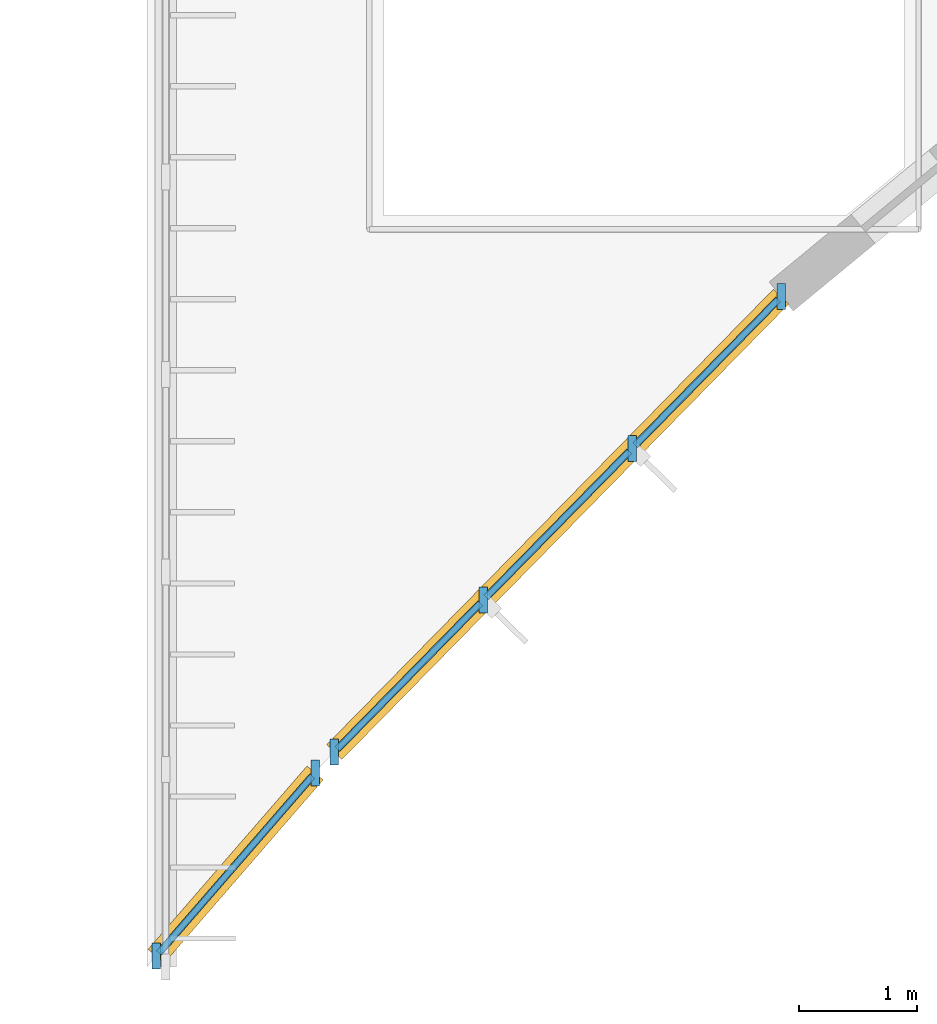
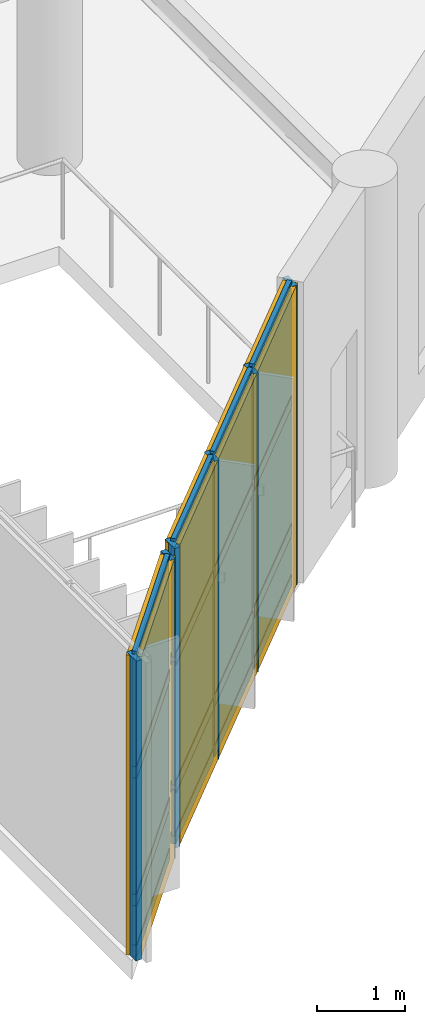
# One storey, part 60 of 122: 22 members, 12 plates, 2 curtain walls.
"""IFC4 building model written with IfcOpenShell, lengths in metres."""

from ifc_helpers import new_model, si_unit, direction, frame, frame_2d, origin, origin_2d, place, context, subcontext, project, spatial, rectangle, extrude, material, layer, layer_set, material_profile, profile_set, type_object, element, aggregate, save


model = new_model("IFC4")

# Units and contexts
model_context = context("Model", 3, precision=1e-05, world=origin(), true_north=direction((0.0, 1.0)))
body_context = subcontext(model_context, "Body", "Model", "MODEL_VIEW")
ifc_project = project(units=[si_unit("LENGTHUNIT", "METRE"), si_unit("AREAUNIT", "SQUARE_METRE"), si_unit("VOLUMEUNIT", "CUBIC_METRE"), si_unit("PLANEANGLEUNIT", "RADIAN"), si_unit("MASSUNIT", "GRAM", prefix="KILO")], contexts=[model_context])

# Member
ifc_material_1 = material(Name="Anodised Bronze Aluminium 6063-T6", Category="aluminium")
ifc_material_profile_1 = material_profile(ifc_material_1, rectangle(XDim=0.070068359375, YDim=0.219970703125, at=origin_2d()), Name="ALU MULLION 70x220")
ifc_profile_set_1 = profile_set([ifc_material_profile_1], Name="Anodised Bronze Aluminium 6063-T6")
member_type_1 = type_object("IfcMemberType", Name="Curtain-Wall Heavy Mullion 70x220", PredefinedType="MULLION", material=ifc_profile_set_1)
site_placement = place(None, origin())
building_placement = place(site_placement, origin())
storey_placement = place(building_placement, frame((0.0, 0.0, 4.800048828125)))
member_1_placement = place(storey_placement, frame((36.07861328125, 1.540771484375, 0.0), z_axis=(0.0, 0.0, 1.0), x_axis=(1.0, 0.0, 0.0)))
member_1 = element("IfcMember", 1, at=member_1_placement, type_object=member_type_1, Name="Mullion CWM-02 CW-V5-CRN-L01-C01-M01", PredefinedType="MULLION", context=body_context, shape_type="SweptSolid", body=[
    extrude(rectangle(XDim=0.070068359375, YDim=0.219970703125, at=origin_2d()), origin(), (0.0, 0.0, 1.0), 4.179931640625),
])

member_2_placement = place(storey_placement, frame((37.42138671875, 3.089111328125, 0.0), z_axis=(0.0, 0.0, 1.0), x_axis=(1.0, 0.0, 0.0)))
member_2 = element("IfcMember", 2, at=member_2_placement, type_object=member_type_1, Name="Mullion CWM-02 CW-V5-CRN-L01-C01-M02", PredefinedType="MULLION", context=body_context, shape_type="SweptSolid", body=[
    extrude(rectangle(XDim=0.070068359375, YDim=0.219970703125, at=origin_2d()), origin(), (0.0, 0.0, 1.0), 4.179931640625),
])

member_3_placement = place(storey_placement, frame((37.583984375, 3.265380859375, 0.0), z_axis=(0.0, 0.0, 1.0), x_axis=(1.0, 0.0, 0.0)))
member_3 = element("IfcMember", 3, at=member_3_placement, type_object=member_type_1, Name="Mullion CWM-02 CW-V5-CRN-L01-C02-M01", PredefinedType="MULLION", context=body_context, shape_type="SweptSolid", body=[
    extrude(rectangle(XDim=0.070068359375, YDim=0.219970703125, at=origin_2d()), origin(), (0.0, 0.0, 1.0), 4.179931640625),
])

member_4_placement = place(storey_placement, frame((38.842041015625, 4.548095703125, 0.0), z_axis=(0.0, 0.0, 1.0), x_axis=(1.0, 0.0, 0.0)))
member_4 = element("IfcMember", 4, at=member_4_placement, type_object=member_type_1, Name="Mullion CWM-02 CW-V5-CRN-L01-C02-M02", PredefinedType="MULLION", context=body_context, shape_type="SweptSolid", body=[
    extrude(rectangle(XDim=0.070068359375, YDim=0.219970703125, at=origin_2d()), origin(), (0.0, 0.0, 1.0), 4.179931640625),
])

member_5_placement = place(storey_placement, frame((40.10009765625, 5.830810546875, 0.0), z_axis=(0.0, 0.0, 1.0), x_axis=(1.0, 0.0, 0.0)))
member_5 = element("IfcMember", 5, at=member_5_placement, type_object=member_type_1, Name="Mullion CWM-02 CW-V5-CRN-L01-C02-M03", PredefinedType="MULLION", context=body_context, shape_type="SweptSolid", body=[
    extrude(rectangle(XDim=0.070068359375, YDim=0.219970703125, at=origin_2d()), origin(), (0.0, 0.0, 1.0), 4.179931640625),
])

member_6_placement = place(storey_placement, frame((41.358154296875, 7.11328125, 0.0), z_axis=(0.0, 0.0, 1.0), x_axis=(1.0, 0.0, 0.0)))
member_6 = element("IfcMember", 6, at=member_6_placement, type_object=member_type_1, Name="Mullion CWM-02 CW-V5-CRN-L01-C02-M04", PredefinedType="MULLION", context=body_context, shape_type="SweptSolid", body=[
    extrude(rectangle(XDim=0.070068359375, YDim=0.219970703125, at=origin_2d()), origin(), (0.0, 0.0, 1.0), 4.179931640625),
])

ifc_material_profile_2 = material_profile(ifc_material_1, rectangle(XDim=0.06005859375, YDim=0.159912109375, at=origin_2d()), Name="ALU TRANSOM 60x160")
ifc_profile_set_2 = profile_set([ifc_material_profile_2], Name="Anodised Bronze Aluminium 6063-T6")
member_type_2 = type_object("IfcMemberType", Name="Curtain-Wall Heavy Transom 60x160", PredefinedType="USERDEFINED", material=ifc_profile_set_2)
member_7_placement = place(storey_placement, frame((36.1015625, 1.567138671875, 0.0400390625), z_axis=(0.655127718536, 0.755518148297, 0.0), x_axis=(-0.755518148297, 0.655127718536, 0.0)))
member_7 = element("IfcMember", 7, at=member_7_placement, type_object=member_type_2, Name="Transom CWT-02 CW-V5-CRN-L01-C01-T01.1", ObjectType="TRANSOM", PredefinedType="USERDEFINED", context=body_context, shape_type="SweptSolid", body=[
    extrude(rectangle(XDim=0.06005859375, YDim=0.159912109375, at=origin_2d()), origin(), (0.0, 0.0, 1.0), 1.9794921875),
])

member_8_placement = place(storey_placement, frame((36.1015625, 1.567138671875, 0.75), z_axis=(0.655127718536, 0.755518148297, 0.0), x_axis=(-0.755518148297, 0.655127718536, 0.0)))
member_8 = element("IfcMember", 8, at=member_8_placement, type_object=member_type_2, Name="Transom CWT-02 CW-V5-CRN-L01-C01-T01.2", ObjectType="TRANSOM", PredefinedType="USERDEFINED", context=body_context, shape_type="SweptSolid", body=[
    extrude(rectangle(XDim=0.06005859375, YDim=0.159912109375, at=origin_2d()), origin(), (0.0, 0.0, 1.0), 1.9794921875),
])

member_9_placement = place(storey_placement, frame((36.1015625, 1.567138671875, 2.533447265625), z_axis=(0.655127718536, 0.755518148297, 0.0), x_axis=(-0.755518148297, 0.655127718536, 0.0)))
member_9 = element("IfcMember", 9, at=member_9_placement, type_object=member_type_2, Name="Transom CWT-02 CW-V5-CRN-L01-C01-T01.3", ObjectType="TRANSOM", PredefinedType="USERDEFINED", context=body_context, shape_type="SweptSolid", body=[
    extrude(rectangle(XDim=0.06005859375, YDim=0.159912109375, at=origin_2d()), origin(), (0.0, 0.0, 1.0), 1.9794921875),
])

member_10_placement = place(storey_placement, frame((36.1015625, 1.567138671875, 4.139892578125), z_axis=(0.655127718536, 0.755518148297, 0.0), x_axis=(-0.755518148297, 0.655127718536, 0.0)))
member_10 = element("IfcMember", 10, at=member_10_placement, type_object=member_type_2, Name="Transom CWT-02 CW-V5-CRN-L01-C01-T01.4", ObjectType="TRANSOM", PredefinedType="USERDEFINED", context=body_context, shape_type="SweptSolid", body=[
    extrude(rectangle(XDim=0.06005859375, YDim=0.159912109375, at=origin_2d()), origin(), (0.0, 0.0, 1.0), 1.9794921875),
])

member_11_placement = place(storey_placement, frame((37.6083984375, 3.29052734375, 0.0400390625), z_axis=(0.700287657852, 0.713860768119, 0.0), x_axis=(-0.713860768119, 0.700287657852, 0.0)))
member_11 = element("IfcMember", 11, at=member_11_placement, type_object=member_type_2, Name="Transom CWT-02 CW-V5-CRN-L01-C02-T01.1", ObjectType="TRANSOM", PredefinedType="USERDEFINED", context=body_context, shape_type="SweptSolid", body=[
    extrude(rectangle(XDim=0.06005859375, YDim=0.159912109375, at=origin_2d()), origin(), (0.0, 0.0, 1.0), 1.726806640625),
])

member_12_placement = place(storey_placement, frame((37.6083984375, 3.29052734375, 0.75), z_axis=(0.700287657852, 0.713860768119, 0.0), x_axis=(-0.713860768119, 0.700287657852, 0.0)))
member_12 = element("IfcMember", 12, at=member_12_placement, type_object=member_type_2, Name="Transom CWT-02 CW-V5-CRN-L01-C02-T01.2", ObjectType="TRANSOM", PredefinedType="USERDEFINED", context=body_context, shape_type="SweptSolid", body=[
    extrude(rectangle(XDim=0.06005859375, YDim=0.159912109375, at=origin_2d()), origin(), (0.0, 0.0, 1.0), 1.726806640625),
])

member_13_placement = place(storey_placement, frame((37.6083984375, 3.29052734375, 2.533447265625), z_axis=(0.700287657852, 0.713860768119, 0.0), x_axis=(-0.713860768119, 0.700287657852, 0.0)))
member_13 = element("IfcMember", 13, at=member_13_placement, type_object=member_type_2, Name="Transom CWT-02 CW-V5-CRN-L01-C02-T01.3", ObjectType="TRANSOM", PredefinedType="USERDEFINED", context=body_context, shape_type="SweptSolid", body=[
    extrude(rectangle(XDim=0.06005859375, YDim=0.159912109375, at=origin_2d()), origin(), (0.0, 0.0, 1.0), 1.726806640625),
])

member_14_placement = place(storey_placement, frame((37.6083984375, 3.29052734375, 4.139892578125), z_axis=(0.700287657852, 0.713860768119, 0.0), x_axis=(-0.713860768119, 0.700287657852, 0.0)))
member_14 = element("IfcMember", 14, at=member_14_placement, type_object=member_type_2, Name="Transom CWT-02 CW-V5-CRN-L01-C02-T01.4", ObjectType="TRANSOM", PredefinedType="USERDEFINED", context=body_context, shape_type="SweptSolid", body=[
    extrude(rectangle(XDim=0.06005859375, YDim=0.159912109375, at=origin_2d()), origin(), (0.0, 0.0, 1.0), 1.726806640625),
])

member_15_placement = place(storey_placement, frame((38.86669921875, 4.572998046875, 0.0400390625), z_axis=(0.700215596953, 0.71393145174, 0.0), x_axis=(-0.71393145174, 0.700215596953, 0.0)))
member_15 = element("IfcMember", 15, at=member_15_placement, type_object=member_type_2, Name="Transom CWT-02 CW-V5-CRN-L01-C02-T02.1", ObjectType="TRANSOM", PredefinedType="USERDEFINED", context=body_context, shape_type="SweptSolid", body=[
    extrude(rectangle(XDim=0.06005859375, YDim=0.159912109375, at=origin_2d()), origin(), (0.0, 0.0, 1.0), 1.7265625),
])

member_16_placement = place(storey_placement, frame((38.86669921875, 4.572998046875, 0.75), z_axis=(0.700215596953, 0.71393145174, 0.0), x_axis=(-0.71393145174, 0.700215596953, 0.0)))
member_16 = element("IfcMember", 16, at=member_16_placement, type_object=member_type_2, Name="Transom CWT-02 CW-V5-CRN-L01-C02-T02.2", ObjectType="TRANSOM", PredefinedType="USERDEFINED", context=body_context, shape_type="SweptSolid", body=[
    extrude(rectangle(XDim=0.06005859375, YDim=0.159912109375, at=origin_2d()), origin(), (0.0, 0.0, 1.0), 1.7265625),
])

member_17_placement = place(storey_placement, frame((38.86669921875, 4.572998046875, 2.533447265625), z_axis=(0.700215596953, 0.71393145174, 0.0), x_axis=(-0.71393145174, 0.700215596953, 0.0)))
member_17 = element("IfcMember", 17, at=member_17_placement, type_object=member_type_2, Name="Transom CWT-02 CW-V5-CRN-L01-C02-T02.3", ObjectType="TRANSOM", PredefinedType="USERDEFINED", context=body_context, shape_type="SweptSolid", body=[
    extrude(rectangle(XDim=0.06005859375, YDim=0.159912109375, at=origin_2d()), origin(), (0.0, 0.0, 1.0), 1.7265625),
])

member_18_placement = place(storey_placement, frame((38.86669921875, 4.572998046875, 4.139892578125), z_axis=(0.700215596953, 0.71393145174, 0.0), x_axis=(-0.71393145174, 0.700215596953, 0.0)))
member_18 = element("IfcMember", 18, at=member_18_placement, type_object=member_type_2, Name="Transom CWT-02 CW-V5-CRN-L01-C02-T02.4", ObjectType="TRANSOM", PredefinedType="USERDEFINED", context=body_context, shape_type="SweptSolid", body=[
    extrude(rectangle(XDim=0.06005859375, YDim=0.159912109375, at=origin_2d()), origin(), (0.0, 0.0, 1.0), 1.7265625),
])

member_19_placement = place(storey_placement, frame((40.12451171875, 5.855712890625, 0.0400390625), z_axis=(0.700287657852, 0.713860768119, 0.0), x_axis=(-0.713860768119, 0.700287657852, 0.0)))
member_19 = element("IfcMember", 19, at=member_19_placement, type_object=member_type_2, Name="Transom CWT-02 CW-V5-CRN-L01-C02-T03.1", ObjectType="TRANSOM", PredefinedType="USERDEFINED", context=body_context, shape_type="SweptSolid", body=[
    extrude(rectangle(XDim=0.06005859375, YDim=0.159912109375, at=origin_2d()), origin(), (0.0, 0.0, 1.0), 1.726806640625),
])

member_20_placement = place(storey_placement, frame((40.12451171875, 5.855712890625, 0.75), z_axis=(0.700287657852, 0.713860768119, 0.0), x_axis=(-0.713860768119, 0.700287657852, 0.0)))
member_20 = element("IfcMember", 20, at=member_20_placement, type_object=member_type_2, Name="Transom CWT-02 CW-V5-CRN-L01-C02-T03.2", ObjectType="TRANSOM", PredefinedType="USERDEFINED", context=body_context, shape_type="SweptSolid", body=[
    extrude(rectangle(XDim=0.06005859375, YDim=0.159912109375, at=origin_2d()), origin(), (0.0, 0.0, 1.0), 1.726806640625),
])

member_21_placement = place(storey_placement, frame((40.12451171875, 5.855712890625, 2.533447265625), z_axis=(0.700287657852, 0.713860768119, 0.0), x_axis=(-0.713860768119, 0.700287657852, 0.0)))
member_21 = element("IfcMember", 21, at=member_21_placement, type_object=member_type_2, Name="Transom CWT-02 CW-V5-CRN-L01-C02-T03.3", ObjectType="TRANSOM", PredefinedType="USERDEFINED", context=body_context, shape_type="SweptSolid", body=[
    extrude(rectangle(XDim=0.06005859375, YDim=0.159912109375, at=origin_2d()), origin(), (0.0, 0.0, 1.0), 1.726806640625),
])

member_22_placement = place(storey_placement, frame((40.12451171875, 5.855712890625, 4.139892578125), z_axis=(0.700287657852, 0.713860768119, 0.0), x_axis=(-0.713860768119, 0.700287657852, 0.0)))
member_22 = element("IfcMember", 22, at=member_22_placement, type_object=member_type_2, Name="Transom CWT-02 CW-V5-CRN-L01-C02-T03.4", ObjectType="TRANSOM", PredefinedType="USERDEFINED", context=body_context, shape_type="SweptSolid", body=[
    extrude(rectangle(XDim=0.06005859375, YDim=0.159912109375, at=origin_2d()), origin(), (0.0, 0.0, 1.0), 1.726806640625),
])

# Plate
ifc_material_2 = material(Name="Double Low-E Acoustic Laminated Glass", Category="glass")
ifc_layer_1 = layer(ifc_material_2, 0.0439453125, Name="Double Low-E Acoustic Laminated Glass")
ifc_layer_set_1 = layer_set([ifc_layer_1], Name="Double Low-E Acoustic Laminated Glass")
plate_type_1 = type_object("IfcPlateType", Name="Acoustic Laminated Low-E Glazing Unit 44", PredefinedType="CURTAIN_PANEL", material=ifc_layer_set_1)
plate_1_placement = place(storey_placement, frame((36.75, 2.31494140625, 0.780029296875), z_axis=(0.0, 0.0, 1.0), x_axis=(0.655168134077, 0.755483101128, 0.0)))
plate_1 = element("IfcPlate", 23, at=plate_1_placement, type_object=plate_type_1, Name="Curtain Panel CWP-01 CW-V5-CRN-L01-C01-P01.2", PredefinedType="CURTAIN_PANEL", context=body_context, shape_type="SweptSolid", body=[
    extrude(rectangle(XDim=1.9794921875, YDim=0.0439453125, at=origin_2d()), origin(), (0.0, 0.0, 1.0), 1.7236328125),
])

plate_2_placement = place(storey_placement, frame((36.75, 2.31494140625, 2.5634765625), z_axis=(0.0, 0.0, 1.0), x_axis=(0.655168134077, 0.755483101128, 0.0)))
plate_2 = element("IfcPlate", 24, at=plate_2_placement, type_object=plate_type_1, Name="Curtain Panel CWP-01 CW-V5-CRN-L01-C01-P01.3", PredefinedType="CURTAIN_PANEL", context=body_context, shape_type="SweptSolid", body=[
    extrude(rectangle(XDim=1.9794921875, YDim=0.0439453125, at=origin_2d()), origin(), (0.0, 0.0, 1.0), 1.54638671875),
])

plate_3_placement = place(storey_placement, frame((38.212890625, 3.90673828125, 0.780029296875), z_axis=(0.0, 0.0, 1.0), x_axis=(0.700246698398, 0.713900946479, 0.0)))
plate_3 = element("IfcPlate", 25, at=plate_3_placement, type_object=plate_type_1, Name="Curtain Panel CWP-01 CW-V5-CRN-L01-C02-P01.2", PredefinedType="CURTAIN_PANEL", context=body_context, shape_type="SweptSolid", body=[
    extrude(rectangle(XDim=1.7265625, YDim=0.0439453125, at=origin_2d()), origin(), (0.0, 0.0, 1.0), 1.7236328125),
])

plate_4_placement = place(storey_placement, frame((38.212890625, 3.90673828125, 2.5634765625), z_axis=(0.0, 0.0, 1.0), x_axis=(0.700246698398, 0.713900946479, 0.0)))
plate_4 = element("IfcPlate", 26, at=plate_4_placement, type_object=plate_type_1, Name="Curtain Panel CWP-01 CW-V5-CRN-L01-C02-P01.3", PredefinedType="CURTAIN_PANEL", context=body_context, shape_type="SweptSolid", body=[
    extrude(rectangle(XDim=1.7265625, YDim=0.0439453125, at=origin_2d()), origin(), (0.0, 0.0, 1.0), 1.54638671875),
])

plate_5_placement = place(storey_placement, frame((39.47119140625, 5.189453125, 0.780029296875), z_axis=(0.0, 0.0, 1.0), x_axis=(0.700246698398, 0.713900946479, 0.0)))
plate_5 = element("IfcPlate", 27, at=plate_5_placement, type_object=plate_type_1, Name="Curtain Panel CWP-01 CW-V5-CRN-L01-C02-P02.2", PredefinedType="CURTAIN_PANEL", context=body_context, shape_type="SweptSolid", body=[
    extrude(rectangle(XDim=1.7265625, YDim=0.0439453125, at=origin_2d()), origin(), (0.0, 0.0, 1.0), 1.7236328125),
])

plate_6_placement = place(storey_placement, frame((39.47119140625, 5.189453125, 2.5634765625), z_axis=(0.0, 0.0, 1.0), x_axis=(0.700246698398, 0.713900946479, 0.0)))
plate_6 = element("IfcPlate", 28, at=plate_6_placement, type_object=plate_type_1, Name="Curtain Panel CWP-01 CW-V5-CRN-L01-C02-P02.3", PredefinedType="CURTAIN_PANEL", context=body_context, shape_type="SweptSolid", body=[
    extrude(rectangle(XDim=1.7265625, YDim=0.0439453125, at=origin_2d()), origin(), (0.0, 0.0, 1.0), 1.54638671875),
])

plate_7_placement = place(storey_placement, frame((40.729248046875, 6.471923828125, 0.780029296875), z_axis=(0.0, 0.0, 1.0), x_axis=(0.700246698398, 0.713900946479, 0.0)))
plate_7 = element("IfcPlate", 29, at=plate_7_placement, type_object=plate_type_1, Name="Curtain Panel CWP-01 CW-V5-CRN-L01-C02-P03.2", PredefinedType="CURTAIN_PANEL", context=body_context, shape_type="SweptSolid", body=[
    extrude(rectangle(XDim=1.7265625, YDim=0.0439453125, at=origin_2d()), origin(), (0.0, 0.0, 1.0), 1.7236328125),
])

plate_8_placement = place(storey_placement, frame((40.729248046875, 6.471923828125, 2.5634765625), z_axis=(0.0, 0.0, 1.0), x_axis=(0.700246698398, 0.713900946479, 0.0)))
plate_8 = element("IfcPlate", 30, at=plate_8_placement, type_object=plate_type_1, Name="Curtain Panel CWP-01 CW-V5-CRN-L01-C02-P03.3", PredefinedType="CURTAIN_PANEL", context=body_context, shape_type="SweptSolid", body=[
    extrude(rectangle(XDim=1.7265625, YDim=0.0439453125, at=origin_2d()), origin(), (0.0, 0.0, 1.0), 1.54638671875),
])

ifc_material_3 = material(Name="Ceramic-Fritted Tempered Laminated Glass", Category="glass")
ifc_layer_2 = layer(ifc_material_3, 0.0458984375, Name="Ceramic-Fritted Tempered Laminated Glass")
ifc_layer_set_2 = layer_set([ifc_layer_2], Name="Ceramic-Fritted Tempered Laminated Glass")
plate_type_2 = type_object("IfcPlateType", Name="Ceramic-Frit Acoustic Spandrel Glazing 46", PredefinedType="CURTAIN_PANEL", material=ifc_layer_set_2)
plate_9_placement = place(storey_placement, frame((36.75, 2.31494140625, 0.070068359375), z_axis=(0.0, 0.0, 1.0), x_axis=(0.655168134077, 0.755483101128, 0.0)))
plate_9 = element("IfcPlate", 31, at=plate_9_placement, type_object=plate_type_2, Name="Curtain Panel CWP-04 CW-V5-CRN-L01-C01-P01.1", PredefinedType="CURTAIN_PANEL", context=body_context, shape_type="SweptSolid", body=[
    extrude(rectangle(XDim=1.9794921875, YDim=0.0458984375, at=origin_2d()), origin(), (0.0, 0.0, 1.0), 0.64990234375),
])

plate_10_placement = place(storey_placement, frame((38.212890625, 3.90673828125, 0.070068359375), z_axis=(0.0, 0.0, 1.0), x_axis=(0.700246698398, 0.713900946479, 0.0)))
plate_10 = element("IfcPlate", 32, at=plate_10_placement, type_object=plate_type_2, Name="Curtain Panel CWP-04 CW-V5-CRN-L01-C02-P01.1", PredefinedType="CURTAIN_PANEL", context=body_context, shape_type="SweptSolid", body=[
    extrude(rectangle(XDim=1.7265625, YDim=0.0458984375, at=origin_2d()), origin(), (0.0, 0.0, 1.0), 0.64990234375),
])

plate_11_placement = place(storey_placement, frame((39.47119140625, 5.189453125, 0.070068359375), z_axis=(0.0, 0.0, 1.0), x_axis=(0.700246698398, 0.713900946479, 0.0)))
plate_11 = element("IfcPlate", 33, at=plate_11_placement, type_object=plate_type_2, Name="Curtain Panel CWP-04 CW-V5-CRN-L01-C02-P02.1", PredefinedType="CURTAIN_PANEL", context=body_context, shape_type="SweptSolid", body=[
    extrude(rectangle(XDim=1.7265625, YDim=0.0458984375, at=origin_2d()), origin(), (0.0, 0.0, 1.0), 0.64990234375),
])

plate_12_placement = place(storey_placement, frame((40.729248046875, 6.471923828125, 0.070068359375), z_axis=(0.0, 0.0, 1.0), x_axis=(0.700246698398, 0.713900946479, 0.0)))
plate_12 = element("IfcPlate", 34, at=plate_12_placement, type_object=plate_type_2, Name="Curtain Panel CWP-04 CW-V5-CRN-L01-C02-P03.1", PredefinedType="CURTAIN_PANEL", context=body_context, shape_type="SweptSolid", body=[
    extrude(rectangle(XDim=1.7265625, YDim=0.0458984375, at=origin_2d()), origin(), (0.0, 0.0, 1.0), 0.64990234375),
])

# Site, building, storey
site = spatial("IfcSite", under=ifc_project, at=site_placement, CompositionType="ELEMENT")
building = spatial("IfcBuilding", under=site, at=building_placement, Name="Tazoul Stagehouse", CompositionType="ELEMENT")
storey = spatial("IfcBuildingStorey", under=building, at=storey_placement, Name="L01", CompositionType="ELEMENT", Elevation=4.800048828125)

# Curtain wall
curtain_wall_type = type_object("IfcCurtainWallType", Name="Crescent Double-Skin Acoustic Curtain Wall", PredefinedType="NOTDEFINED", material=ifc_material_1)
curtain_wall_1_placement = place(storey_placement, frame((36.07861328125, 1.540771484375, 0.0), z_axis=(0.0, 0.0, 1.0), x_axis=(0.655175401154, 0.755476798931, 0.0)))
curtain_wall_1 = element("IfcCurtainWall", 35, at=curtain_wall_1_placement, inside=storey, type_object=curtain_wall_type, Name="L01 Curtain Wall CW-01 (CW-V5-CRN-L01-C01)", PredefinedType="NOTDEFINED", context=body_context, shape_type="SweptSolid", body=[
    extrude(rectangle(XDim=2.049560546875, YDim=0.179931640625, at=frame_2d((1.02490234375, 0.0))), origin(), (0.0, 0.0, 1.0), 4.179931640625),
])

aggregate(curtain_wall_1, [member_1, member_2, member_7, member_8, member_9, member_10, plate_9, plate_1, plate_2])

curtain_wall_2_placement = place(storey_placement, frame((37.583984375, 3.265380859375, 0.0), z_axis=(0.0, 0.0, 1.0), x_axis=(0.700233974264, 0.713913427025, 0.0)))
curtain_wall_2 = element("IfcCurtainWall", 36, at=curtain_wall_2_placement, inside=storey, type_object=curtain_wall_type, Name="L01 Curtain Wall CW-01 (CW-V5-CRN-L01-C02)", PredefinedType="NOTDEFINED", context=body_context, shape_type="SweptSolid", body=[
    extrude(rectangle(XDim=5.389892578125, YDim=0.179931640625, at=frame_2d((2.69482421875, 0.0))), origin(), (0.0, 0.0, 1.0), 4.179931640625),
])

aggregate(curtain_wall_2, [member_3, member_4, member_5, member_6, member_11, member_12, member_13, member_14, plate_10, plate_3, plate_4, member_15, member_16, member_17, member_18, plate_11, plate_5, plate_6, member_19, member_20, member_21, member_22, plate_12, plate_7, plate_8])

save(model, "model.ifc")
